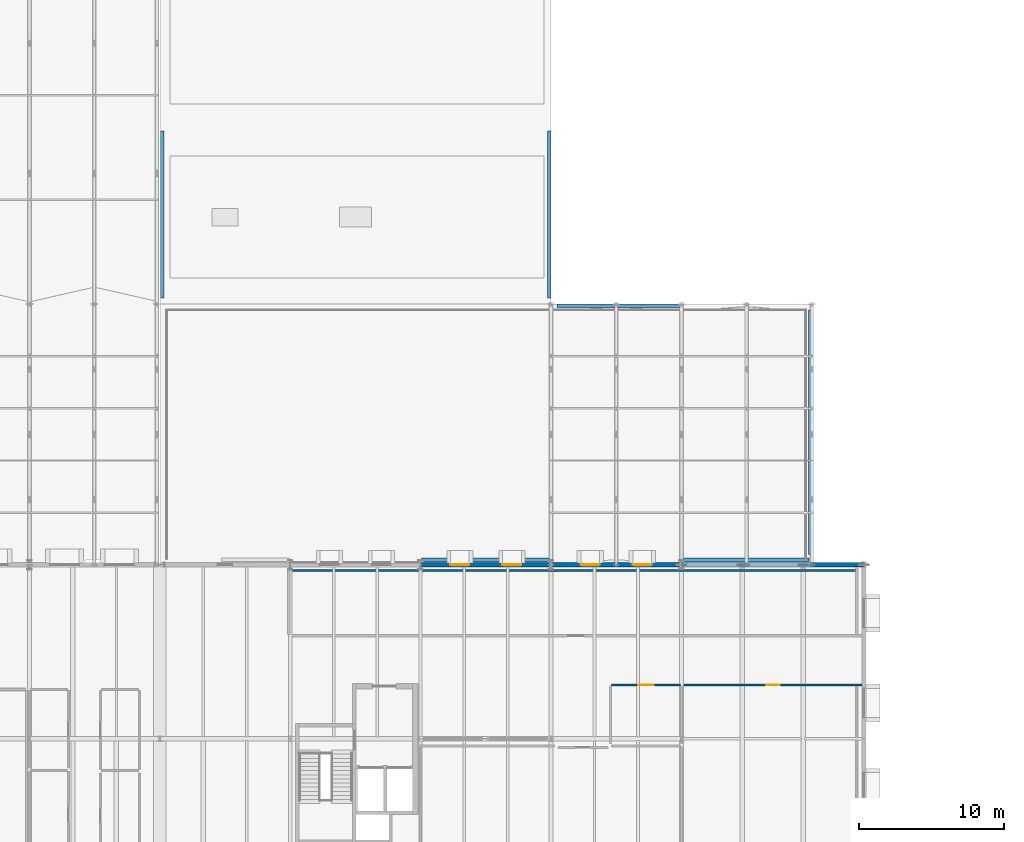
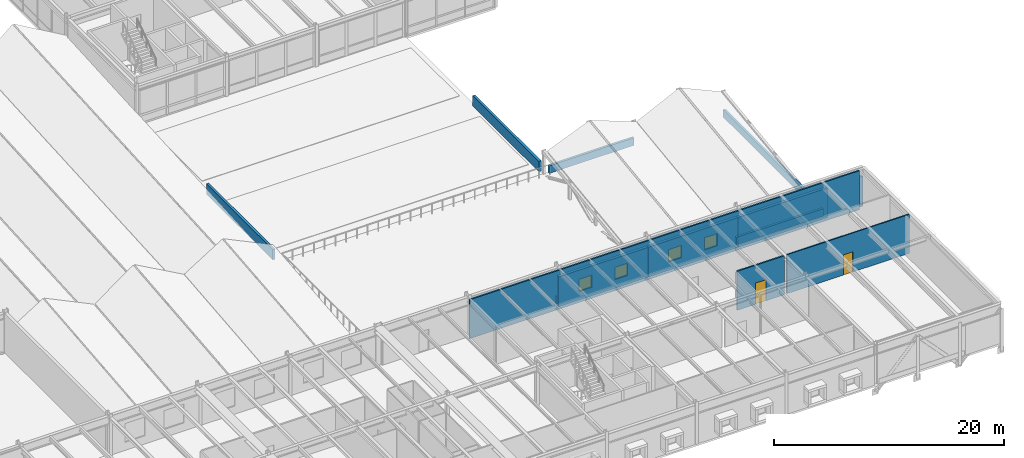
# One storey, part 134 of 142: 13 walls, 4 windows, 2 doors, 6 openings.
"""IFC4 building model written with IfcOpenShell, lengths in metres."""

from ifc_helpers import new_model, si_unit, direction, frame, frame_2d, origin, place, context, subcontext, project, spatial, rectangle, extrude, material, layer, layer_set, type_object, element, fill, save


model = new_model("IFC4")

# Units and contexts
model_context = context("Model", 3, precision=1e-05, world=origin(), true_north=direction((0.0, 1.0)))
body_context = subcontext(model_context, "Body", "Model", "MODEL_VIEW")
ifc_project = project(units=[si_unit("LENGTHUNIT", "METRE"), si_unit("AREAUNIT", "SQUARE_METRE"), si_unit("VOLUMEUNIT", "CUBIC_METRE"), si_unit("PLANEANGLEUNIT", "RADIAN"), si_unit("MASSUNIT", "GRAM", prefix="KILO")], contexts=[model_context])

# Site, building, storey
site_placement = place(None, origin())
site = spatial("IfcSite", under=ifc_project, at=site_placement, CompositionType="ELEMENT")
building_placement = place(site_placement, origin())
building = spatial("IfcBuilding", under=site, at=building_placement, Name="Montelvaro Courts of Justice", CompositionType="ELEMENT")
storey_placement = place(building_placement, frame((0.0, 0.0, 14.39990234375)))
storey = spatial("IfcBuildingStorey", under=building, at=storey_placement, Name="L03", CompositionType="ELEMENT", Elevation=14.39990234375)

# Wall
ifc_material_1 = material(Name="Gypsum board on metal stud")
ifc_layer_1 = layer(ifc_material_1, 0.14990234375)
ifc_layer_set_1 = layer_set([ifc_layer_1], Name="Gypsum board on metal stud")
wall_type_1 = type_object("IfcWallType", Name="ChambersPartition_150", PredefinedType="PARTITIONING", material=ifc_layer_set_1)
wall_1_placement = place(storey_placement, frame((107.907958984375, 23.60009765625, 0.0), z_axis=(0.0, 0.0, 1.0), x_axis=(1.0, 0.0, 0.0)))
element("IfcWall", 1, at=wall_1_placement, inside=storey, type_object=wall_type_1, Name="Interior Partition IW-04 (L03)", PredefinedType="PARTITIONING", context=body_context, shape_type="SweptSolid", body=[
    extrude(rectangle(XDim=39.1220703125, YDim=0.14990234375, at=frame_2d((19.56103515625, 0.0))), origin(), (0.0, 0.0, 1.0), 4.14013671875),
])

# Wall, opening, door
wall_2_placement = place(storey_placement, frame((130.179931640625, 15.699951171875, 0.0), z_axis=(0.0, 0.0, 1.0), x_axis=(1.0, 0.0, 0.0)))
wall_2 = element("IfcWall", 2, at=wall_2_placement, inside=storey, type_object=wall_type_1, Name="Interior Partition IW-04 (L03)", PredefinedType="PARTITIONING", context=body_context, shape_type="SweptSolid", body=[
    extrude(rectangle(XDim=4.739990234375, YDim=0.14990234375, at=frame_2d((2.3701171875, 0.0))), origin(), (0.0, 0.0, 1.0), 4.14013671875),
])
opening_1_placement = place(wall_2_placement, frame((1.844970703125, 0.0, 0.0)))
opening_1 = element("IfcOpeningElement", 3, at=opening_1_placement, cuts=wall_2, Name="Opening D-L03-121", PredefinedType="OPENING", context=body_context, shape_type="SweptSolid", body=[
    extrude(rectangle(XDim=1.050048828125, YDim=2.25, at=frame_2d((0.52490234375, 1.125))), frame((0.0, 0.08984375, 0.0), z_axis=(0.0, -1.0, 0.0), x_axis=(1.0, 0.0, 0.0)), (0.0, 0.0, 1.0), 0.1796875),
])
ifc_material_2 = material(Name="Acoustic oak timber veneer", Category="wood")
door_type_1 = type_object("IfcDoorType", Name="ChamberDoor_105x225", OperationType="NOTDEFINED", PredefinedType="DOOR", material=ifc_material_2)
door_1_placement = place(opening_1_placement, frame((1.050048828125, 0.0, 0.0), z_axis=(0.0, 0.0, 1.0), x_axis=(-1.0, 0.0, 0.0)))
door_1 = element("IfcDoor", 4, at=door_1_placement, inside=storey, type_object=door_type_1, Name="Interior Door D-L03-121 (Juvenile Probation Office L03)", OperationType="SINGLE_SWING_LEFT", OverallHeight=2.25, OverallWidth=1.050048828125, PredefinedType="DOOR", context=body_context, shape_type="SweptSolid", body=[
    extrude(rectangle(XDim=1.050048828125, YDim=2.25, at=frame_2d((0.52490234375, 1.125))), frame((0.0, 0.02490234375, 0.0), z_axis=(0.0, -1.0, 0.0), x_axis=(1.0, 0.0, 0.0)), (0.0, 0.0, 1.0), 0.050048828125),
])
fill(opening_1, door_1)

# Walls
ifc_material_3 = material(Name="White mineral precast concrete C45/55", Category="concrete")
ifc_layer_2 = layer(ifc_material_3, 0.300048828125)
ifc_layer_set_2 = layer_set([ifc_layer_2], Name="White mineral precast concrete C45/55")
wall_type_2 = type_object("IfcWallType", Name="ExtWall_GFRC_300", PredefinedType="SOLIDWALL", material=ifc_layer_set_2)
wall_3_placement = place(storey_placement, frame((147.56005859375, 24.0, 0.0), z_axis=(0.0, 0.0, 1.0), x_axis=(-1.0, 0.0, 0.0)))
element("IfcWall", 5, at=wall_3_placement, inside=storey, type_object=wall_type_2, Name="Exterior Facade Wall EW-02 (L03)", PredefinedType="SOLIDWALL", context=body_context, shape_type="SweptSolid", body=[
    extrude(rectangle(XDim=3.570068359375, YDim=0.300048828125, at=frame_2d((1.78515625, 0.0))), origin(), (0.0, 0.0, 1.0), 3.1669921875),
])
wall_4_placement = place(storey_placement, frame((144.010009765625, 24.0, 0.0), z_axis=(0.0, 0.0, 1.0), x_axis=(-1.0, 0.0, 0.0)))
element("IfcWall", 6, at=wall_4_placement, inside=storey, type_object=wall_type_2, Name="Exterior Facade Wall EW-02 (L03)", PredefinedType="SOLIDWALL", context=body_context, shape_type="SweptSolid", body=[
    extrude(rectangle(XDim=9.001953125, YDim=0.300048828125, at=frame_2d((4.5009765625, 0.0))), origin(), (0.0, 0.0, 1.0), 3.1669921875),
])

# Wall, openings, windows
wall_5_placement = place(storey_placement, frame((134.991943359375, 24.0, 0.0), z_axis=(0.0, 0.0, 1.0), x_axis=(-1.0, 0.0, 0.0)))
wall_5 = element("IfcWall", 7, at=wall_5_placement, inside=storey, type_object=wall_type_2, Name="Exterior Facade Wall EW-02 (L03)", PredefinedType="SOLIDWALL", context=body_context, shape_type="SweptSolid", body=[
    extrude(rectangle(XDim=8.98388671875, YDim=0.300048828125, at=frame_2d((4.491943359375, 0.0))), origin(), (0.0, 0.0, 1.0), 3.1669921875),
])
opening_2_placement = place(wall_5_placement, frame((2.044921875, 0.0, 0.89990234375)))
opening_2 = element("IfcOpeningElement", 8, at=opening_2_placement, cuts=wall_5, Name="Opening WE-18", PredefinedType="OPENING", context=body_context, shape_type="SweptSolid", body=[
    extrude(rectangle(XDim=1.300048828125, YDim=1.300048828125, at=frame_2d((0.64990234375, 0.64990234375))), frame((0.0, 0.1650390625, 0.0), z_axis=(0.0, -1.0, 0.0), x_axis=(1.0, 0.0, 0.0)), (0.0, 0.0, 1.0), 0.329833984375),
])
opening_3_placement = place(wall_5_placement, frame((5.638916015625, 0.0, 0.89990234375)))
opening_3 = element("IfcOpeningElement", 9, at=opening_3_placement, cuts=wall_5, Name="Opening WE-18", PredefinedType="OPENING", context=body_context, shape_type="SweptSolid", body=[
    extrude(rectangle(XDim=1.300048828125, YDim=1.300048828125, at=frame_2d((0.64990234375, 0.64990234375))), frame((0.0, 0.1650390625, 0.0), z_axis=(0.0, -1.0, 0.0), x_axis=(1.0, 0.0, 0.0)), (0.0, 0.0, 1.0), 0.329833984375),
])
ifc_material_4 = material(Name="Low-E solar control double glazing", Category="glass")
window_type = type_object("IfcWindowType", Name="Win_Sq_130x130", PartitioningType="SINGLE_PANEL", PredefinedType="WINDOW", material=ifc_material_4)
window_1_placement = place(opening_2_placement, origin())
window_1 = element("IfcWindow", 10, at=window_1_placement, inside=storey, type_object=window_type, Name="Window W-L03-181", OverallHeight=1.300048828125, OverallWidth=1.300048828125, PartitioningType="SINGLE_PANEL", PredefinedType="WINDOW", context=body_context, shape_type="SweptSolid", body=[
    extrude(rectangle(XDim=1.300048828125, YDim=1.300048828125, at=frame_2d((0.64990234375, 0.64990234375))), frame((0.0, 0.030029296875, 0.0), z_axis=(0.0, -1.0, 0.0), x_axis=(1.0, 0.0, 0.0)), (0.0, 0.0, 1.0), 0.06005859375),
])
fill(opening_2, window_1)
window_2_placement = place(opening_3_placement, origin())
window_2 = element("IfcWindow", 11, at=window_2_placement, inside=storey, type_object=window_type, Name="Window W-L03-182", OverallHeight=1.300048828125, OverallWidth=1.300048828125, PartitioningType="SINGLE_PANEL", PredefinedType="WINDOW", context=body_context, shape_type="SweptSolid", body=[
    extrude(rectangle(XDim=1.300048828125, YDim=1.300048828125, at=frame_2d((0.64990234375, 0.64990234375))), frame((0.0, 0.030029296875, 0.0), z_axis=(0.0, -1.0, 0.0), x_axis=(1.0, 0.0, 0.0)), (0.0, 0.0, 1.0), 0.06005859375),
])
fill(opening_3, window_2)

wall_6_placement = place(storey_placement, frame((125.991943359375, 24.0, 0.0), z_axis=(0.0, 0.0, 1.0), x_axis=(-1.0, 0.0, 0.0)))
wall_6 = element("IfcWall", 12, at=wall_6_placement, inside=storey, type_object=wall_type_2, Name="Exterior Facade Wall EW-02 (L03)", PredefinedType="SOLIDWALL", context=body_context, shape_type="SweptSolid", body=[
    extrude(rectangle(XDim=8.98388671875, YDim=0.300048828125, at=frame_2d((4.491943359375, 0.0))), origin(), (0.0, 0.0, 1.0), 3.1669921875),
])
opening_4_placement = place(wall_6_placement, frame((2.044921875, 0.0, 0.89990234375)))
opening_4 = element("IfcOpeningElement", 13, at=opening_4_placement, cuts=wall_6, Name="Opening WE-18", PredefinedType="OPENING", context=body_context, shape_type="SweptSolid", body=[
    extrude(rectangle(XDim=1.300048828125, YDim=1.300048828125, at=frame_2d((0.64990234375, 0.64990234375))), frame((0.0, 0.1650390625, 0.0), z_axis=(0.0, -1.0, 0.0), x_axis=(1.0, 0.0, 0.0)), (0.0, 0.0, 1.0), 0.329833984375),
])
opening_5_placement = place(wall_6_placement, frame((5.638916015625, 0.0, 0.89990234375)))
opening_5 = element("IfcOpeningElement", 14, at=opening_5_placement, cuts=wall_6, Name="Opening WE-18", PredefinedType="OPENING", context=body_context, shape_type="SweptSolid", body=[
    extrude(rectangle(XDim=1.300048828125, YDim=1.300048828125, at=frame_2d((0.64990234375, 0.64990234375))), frame((0.0, 0.1650390625, 0.0), z_axis=(0.0, -1.0, 0.0), x_axis=(1.0, 0.0, 0.0)), (0.0, 0.0, 1.0), 0.329833984375),
])
window_3_placement = place(opening_4_placement, origin())
window_3 = element("IfcWindow", 15, at=window_3_placement, inside=storey, type_object=window_type, Name="Window W-L03-183", OverallHeight=1.300048828125, OverallWidth=1.300048828125, PartitioningType="SINGLE_PANEL", PredefinedType="WINDOW", context=body_context, shape_type="SweptSolid", body=[
    extrude(rectangle(XDim=1.300048828125, YDim=1.300048828125, at=frame_2d((0.64990234375, 0.64990234375))), frame((0.0, 0.030029296875, 0.0), z_axis=(0.0, -1.0, 0.0), x_axis=(1.0, 0.0, 0.0)), (0.0, 0.0, 1.0), 0.06005859375),
])
fill(opening_4, window_3)
window_4_placement = place(opening_5_placement, origin())
window_4 = element("IfcWindow", 16, at=window_4_placement, inside=storey, type_object=window_type, Name="Window W-L03-184", OverallHeight=1.300048828125, OverallWidth=1.300048828125, PartitioningType="SINGLE_PANEL", PredefinedType="WINDOW", context=body_context, shape_type="SweptSolid", body=[
    extrude(rectangle(XDim=1.300048828125, YDim=1.300048828125, at=frame_2d((0.64990234375, 0.64990234375))), frame((0.0, 0.030029296875, 0.0), z_axis=(0.0, -1.0, 0.0), x_axis=(1.0, 0.0, 0.0)), (0.0, 0.0, 1.0), 0.06005859375),
])
fill(opening_5, window_4)

# Wall, opening, door
ifc_layer_3 = layer(ifc_material_1, 0.1201171875)
ifc_layer_set_3 = layer_set([ifc_layer_3], Name="Gypsum board on metal stud")
wall_type_3 = type_object("IfcWallType", Name="OfficePartition_120", PredefinedType="PARTITIONING", material=ifc_layer_set_3)
wall_7_placement = place(storey_placement, frame((135.179931640625, 15.699951171875, 0.0), z_axis=(0.0, 0.0, 1.0), x_axis=(1.0, 0.0, 0.0)))
wall_7 = element("IfcWall", 17, at=wall_7_placement, inside=storey, type_object=wall_type_3, Name="Interior Partition IW-05 (L03)", PredefinedType="PARTITIONING", context=body_context, shape_type="SweptSolid", body=[
    extrude(rectangle(XDim=12.275146484375, YDim=0.1201171875, at=frame_2d((6.1376953125, 0.0))), origin(), (0.0, 0.0, 1.0), 4.14013671875),
])
opening_6_placement = place(wall_7_placement, frame((5.662109375, 0.0, 0.0)))
opening_6 = element("IfcOpeningElement", 18, at=opening_6_placement, cuts=wall_7, Name="Opening D-L03-122", PredefinedType="OPENING", context=body_context, shape_type="SweptSolid", body=[
    extrude(rectangle(XDim=0.949951171875, YDim=2.14990234375, at=frame_2d((0.47509765625, 1.074951171875))), frame((0.0, 0.074951171875, 0.0), z_axis=(0.0, -1.0, 0.0), x_axis=(1.0, 0.0, 0.0)), (0.0, 0.0, 1.0), 0.14990234375),
])
door_type_2 = type_object("IfcDoorType", Name="OfficeDoor_095x215", OperationType="NOTDEFINED", PredefinedType="DOOR", material=ifc_material_2)
door_2_placement = place(opening_6_placement, origin())
door_2 = element("IfcDoor", 19, at=door_2_placement, inside=storey, type_object=door_type_2, Name="Interior Door D-L03-122 (East Cantilever Magistrates' Chambers L03)", OperationType="SINGLE_SWING_RIGHT", OverallHeight=2.14990234375, OverallWidth=0.949951171875, PredefinedType="DOOR", context=body_context, shape_type="SweptSolid", body=[
    extrude(rectangle(XDim=0.949951171875, YDim=2.14990234375, at=frame_2d((0.47509765625, 1.074951171875))), frame((0.0, 0.02490234375, 0.0), z_axis=(0.0, -1.0, 0.0), x_axis=(1.0, 0.0, 0.0)), (0.0, 0.0, 1.0), 0.050048828125),
])
fill(opening_6, door_2)

# Walls
ifc_layer_4 = layer(ifc_material_3, 0.239990234375)
ifc_layer_set_4 = layer_set([ifc_layer_4], Name="White mineral precast concrete C45/55")
wall_type_4 = type_object("IfcWallType", Name="ParapetWall_240", PredefinedType="PARAPET", material=ifc_layer_set_4)
for number, where, z_axis, x_axis, name in (
    (20, (99.169921875, 42.419921875, 0.0), (0.0, 0.0, 1.0), (0.0, 1.0, 0.0), "Roof Parapet PW-01 L03-026"),
    (21, (125.8798828125, 42.419921875, 0.0), (0.0, 0.0, 1.0), (0.0, 1.0, 0.0), "Roof Parapet PW-01 L03-027"),
):
    element("IfcWall", number, at=place(storey_placement, frame(where, z_axis=z_axis, x_axis=x_axis)), inside=storey, type_object=wall_type_4, Name=name, PredefinedType="PARAPET", context=body_context, shape_type="SweptSolid", body=[
        extrude(rectangle(XDim=11.52001953125, YDim=0.239990234375, at=frame_2d((5.760009765625, 0.0))), origin(), (0.0, 0.0, 1.0), 1.10009765625),
    ])
wall_8_placement = place(storey_placement, frame((117.06005859375, 24.360107421875, 0.0), z_axis=(0.0, 0.0, 1.0), x_axis=(1.0, 0.0, 0.0)))
element("IfcWall", 22, at=wall_8_placement, inside=storey, type_object=wall_type_4, Name="Roof Parapet PW-01 L03-080", PredefinedType="PARAPET", context=body_context, shape_type="SweptSolid", body=[
    extrude(rectangle(XDim=8.8798828125, YDim=0.239990234375, at=frame_2d((4.43994140625, 0.0))), origin(), (0.0, 0.0, 1.0), 0.800048828125),
])
wall_9_placement = place(storey_placement, frame((135.06005859375, 24.360107421875, 0.0), z_axis=(0.0, 0.0, 1.0), x_axis=(1.0, 0.0, 0.0)))
element("IfcWall", 23, at=wall_9_placement, inside=storey, type_object=wall_type_4, Name="Roof Parapet PW-01 L03-081", PredefinedType="PARAPET", context=body_context, shape_type="SweptSolid", body=[
    extrude(rectangle(XDim=8.760009765625, YDim=0.239990234375, at=frame_2d((4.3798828125, 0.0))), origin(), (0.0, 0.0, 1.0), 0.800048828125),
])
wall_10_placement = place(storey_placement, frame((143.8798828125, 24.699951171875, 0.0), z_axis=(0.0, 0.0, 1.0), x_axis=(0.0, 1.0, 0.0)))
element("IfcWall", 24, at=wall_10_placement, inside=storey, type_object=wall_type_4, Name="Roof Parapet PW-01 L03-082", PredefinedType="PARAPET", context=body_context, shape_type="SweptSolid", body=[
    extrude(rectangle(XDim=16.880126953125, YDim=0.239990234375, at=frame_2d((8.43994140625, 0.0))), origin(), (0.0, 0.0, 1.0), 0.800048828125),
])
wall_11_placement = place(storey_placement, frame((126.419921875, 41.8798828125, 0.0), z_axis=(0.0, 0.0, 1.0), x_axis=(1.0, 0.0, 0.0)))
element("IfcWall", 25, at=wall_11_placement, inside=storey, type_object=wall_type_4, Name="Roof Parapet PW-01 L03-083", PredefinedType="PARAPET", context=body_context, shape_type="SweptSolid", body=[
    extrude(rectangle(XDim=8.52001953125, YDim=0.239990234375, at=frame_2d((4.260009765625, 0.0))), origin(), (0.0, 0.0, 1.0), 0.800048828125),
])

save(model, "model.ifc")
